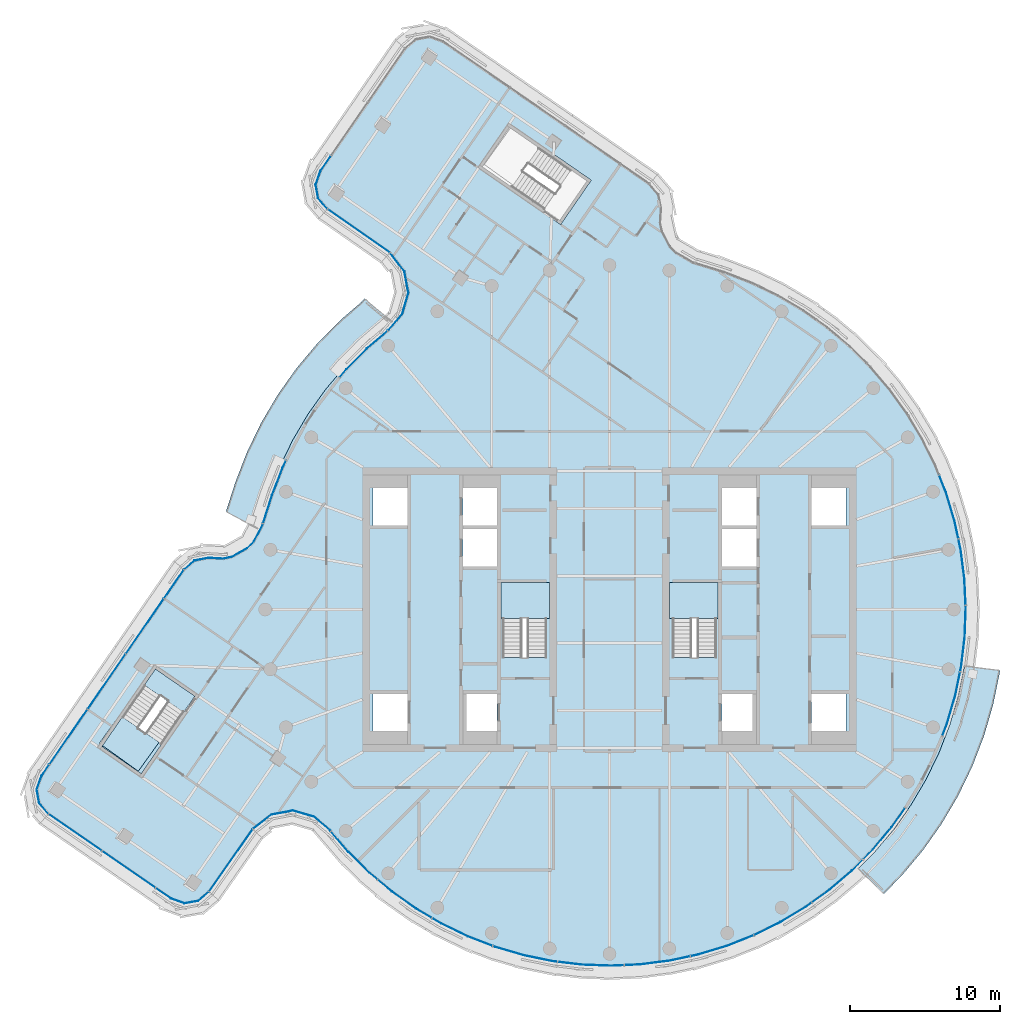
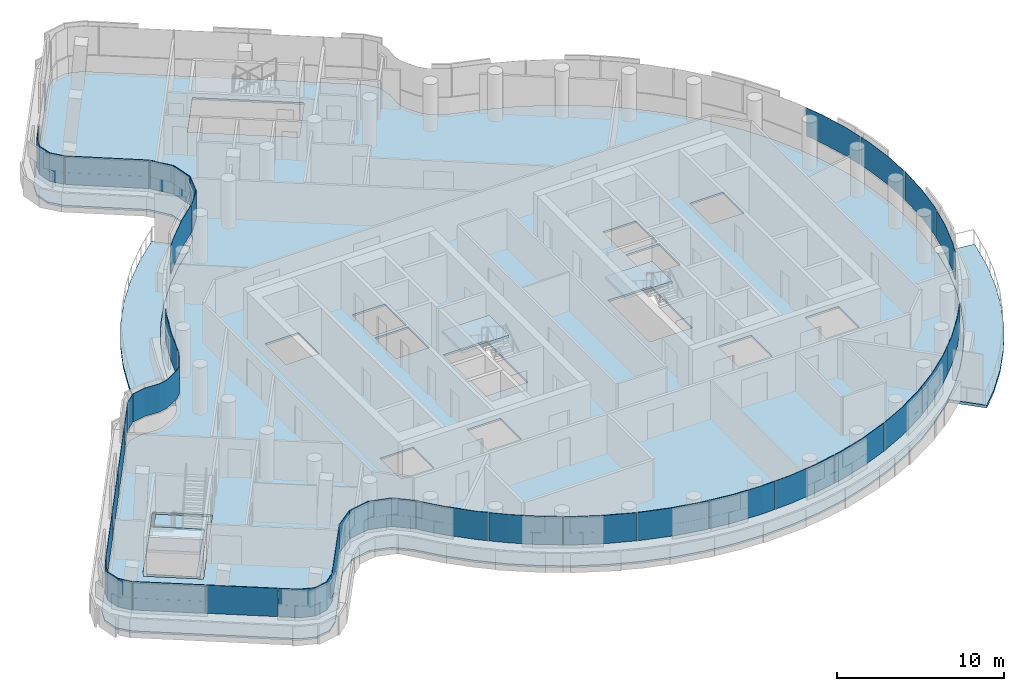
# One storey, part 14 of 26: 30 plates, 7 slabs, 10 elements without a shape of their own.
"""IFC4 building model written with IfcOpenShell, lengths in metres."""

from ifc_helpers import new_model, si_unit, direction, frame, origin, place, context, subcontext, project, spatial, polyline, outline, extrude, material, layer, layer_set, type_object, element, aggregate, save


model = new_model("IFC4")

# Units and contexts
model_context = context("Model", 3, precision=1e-05, world=origin(), true_north=direction((0.0, 1.0)))
body_context = subcontext(model_context, "Body", "Model", "MODEL_VIEW")
ifc_project = project(units=[si_unit("LENGTHUNIT", "METRE"), si_unit("AREAUNIT", "SQUARE_METRE"), si_unit("VOLUMEUNIT", "CUBIC_METRE"), si_unit("PLANEANGLEUNIT", "RADIAN"), si_unit("MASSUNIT", "GRAM", prefix="KILO")], contexts=[model_context])

# Site, building, storey
site_placement = place(None, origin())
site = spatial("IfcSite", under=ifc_project, at=site_placement, CompositionType="ELEMENT")
building_placement = place(site_placement, origin())
building = spatial("IfcBuilding", under=site, at=building_placement, Name="Tamarind Cross Interchange Tower", CompositionType="ELEMENT")
storey_placement = place(building_placement, frame((0.0, 0.0, 234.300048828125)))
storey = spatial("IfcBuildingStorey", under=building, at=storey_placement, Name="L59", CompositionType="ELEMENT", Elevation=234.300048828125)

# Slabs
ifc_material_1 = material(Name="Precast concrete C40", Category="concrete")
ifc_layer_1 = layer(ifc_material_1, 0.199951171875)
ifc_layer_set_1 = layer_set([ifc_layer_1], Name="Precast concrete C40")
slab_type_1 = type_object("IfcSlabType", Name="Balcony slab", PredefinedType="BASESLAB", material=ifc_layer_set_1)
slab_1_placement = place(storey_placement, frame((0.0, 0.0, -0.199951171875)))
element("IfcSlab", 1, at=slab_1_placement, inside=storey, type_object=slab_type_1, Name="SLB-L59-BAL02", PredefinedType="BASESLAB", context=body_context, shape_type="SweptSolid", body=[
    extrude(outline(polyline([(16.616943359375, -17.292724609375), (17.72412109375, -16.17578125), (18.99951171875, -14.656982421875), (20.14501953125, -13.0380859375), (21.15283203125, -11.329833984375), (22.01611328125, -9.54443359375), (22.72900390625, -7.69384765625), (23.286865234375, -5.79052734375), (23.685546875, -3.84765625), (23.693115234375, -3.784912109375), (26.075927734375, -4.071533203125), (26.056396484375, -4.23291015625), (25.617919921875, -6.3701171875), (25.00439453125, -8.4638671875), (24.219970703125, -10.499755859375), (23.270263671875, -12.464111328125), (22.161376953125, -14.343017578125), (20.9013671875, -16.124267578125), (19.498291015625, -17.795166015625), (18.3212890625, -18.982421875), (16.616943359375, -17.292724609375)])), origin(), (0.0, 0.0, 1.0), 0.199951171875),
])
slab_2_placement = place(storey_placement, frame((0.0, 0.0, -0.199951171875)))
element("IfcSlab", 2, at=slab_2_placement, inside=storey, type_object=slab_type_1, Name="SLB-L59-BAL06", PredefinedType="BASESLAB", context=body_context, shape_type="SweptSolid", body=[
    extrude(outline(polyline([(-14.540283203125, 19.22265625), (-14.875244140625, 18.82568359375), (-16.327880859375, 17.584228515625), (-17.72412109375, 16.17578125), (-18.99951171875, 14.656982421875), (-20.14501953125, 13.0380859375), (-21.15283203125, 11.329833984375), (-22.01611328125, 9.54443359375), (-22.72900390625, 7.69384765625), (-23.37646484375, 5.67919921875), (-23.514892578125, 5.420654296875), (-25.631103515625, 6.552490234375), (-25.594970703125, 6.619873046875), (-24.9931640625, 8.492919921875), (-24.219970703125, 10.499755859375), (-23.270263671875, 12.464111328125), (-22.161376953125, 14.343017578125), (-20.9013671875, 16.124267578125), (-19.498291015625, 17.795166015625), (-17.96240234375, 19.344482421875), (-16.5830078125, 20.5234375), (-16.3740234375, 20.77099609375), (-14.540283203125, 19.22265625)])), origin(), (0.0, 0.0, 1.0), 0.199951171875),
])
ifc_material_2 = material(Name="Concrete C35", Category="concrete")
ifc_layer_2 = layer(ifc_material_2, 0.139892578125)
ifc_layer_set_2 = layer_set([ifc_layer_2], Name="Concrete C35")
slab_type_2 = type_object("IfcSlabType", Name="Composite slab 140 Concrete C35", PredefinedType="FLOOR", material=ifc_layer_set_2)
slab_3_placement = place(storey_placement, frame((0.0, 0.0, -0.14013671875)))
element("IfcSlab", 3, at=slab_3_placement, inside=storey, type_object=slab_type_2, Name="Floor slab L59", PredefinedType="FLOOR", context=body_context, shape_type="SweptSolid", body=[
    extrude(outline(polyline([(-27.811767578125, 3.450927734375), (-28.580078125, 2.7900390625), (-38.117919921875, -11.0224609375), (-38.465576171875, -11.99755859375), (-38.279052734375, -13.01611328125), (-37.6083984375, -13.8046875), (-29.379638671875, -19.48681640625), (-28.404541015625, -19.83447265625), (-27.38623046875, -19.648193359375), (-26.597412109375, -18.9775390625), (-23.682373046875, -14.8037109375), (-22.50537109375, -13.889404296875), (-21.156005859375, -13.63623046875), (-19.838134765625, -14.0205078125), (-18.82568359375, -14.875244140625), (-17.584228515625, -16.327880859375), (-16.17578125, -17.72412109375), (-14.656982421875, -18.99951171875), (-13.0380859375, -20.14501953125), (-11.329833984375, -21.15283203125), (-9.54443359375, -22.01611328125), (-7.693603515625, -22.72900390625), (-5.79052734375, -23.286865234375), (-3.84765625, -23.685546875), (-1.878662109375, -23.92236328125), (0.103271484375, -23.99560546875), (2.08447265625, -23.9052734375), (4.051513671875, -23.651611328125), (5.99072265625, -23.236083984375), (7.88916015625, -22.662109375), (9.7333984375, -21.93310546875), (11.511474609375, -21.054443359375), (13.2109375, -20.031982421875), (14.820068359375, -18.87255859375), (16.327880859375, -17.584228515625), (17.72412109375, -16.17578125), (18.99951171875, -14.656982421875), (20.14501953125, -13.0380859375), (21.15283203125, -11.329833984375), (22.01611328125, -9.54443359375), (22.72900390625, -7.693603515625), (23.286865234375, -5.79052734375), (23.685546875, -3.84765625), (23.92236328125, -1.878662109375), (23.99560546875, 0.103271484375), (23.9052734375, 2.08447265625), (23.651611328125, 4.051513671875), (23.236083984375, 5.99072265625), (22.662109375, 7.88916015625), (21.93310546875, 9.7333984375), (21.054443359375, 11.511474609375), (20.031982421875, 13.2109375), (18.87255859375, 14.820068359375), (17.584228515625, 16.327880859375), (16.17578125, 17.72412109375), (14.656982421875, 18.99951171875), (13.0380859375, 20.14501953125), (11.329833984375, 21.15283203125), (9.54443359375, 22.01611328125), (7.693603515625, 22.72900390625), (5.64599609375, 23.364013671875), (4.584228515625, 23.978271484375), (4.21044921875, 24.36474609375), (3.698486328125, 25.32275390625), (3.584716796875, 25.84814453125), (3.64697265625, 26.806640625), (3.451416015625, 27.8076171875), (2.78759765625, 28.581787109375), (-11.0224609375, 38.117919921875), (-11.99755859375, 38.465576171875), (-13.01611328125, 38.279052734375), (-13.8046875, 37.6083984375), (-19.48681640625, 29.379638671875), (-19.83447265625, 28.404541015625), (-19.648193359375, 27.38623046875), (-18.9775390625, 26.597412109375), (-14.8037109375, 23.682373046875), (-13.889404296875, 22.50537109375), (-13.63623046875, 21.156005859375), (-14.0205078125, 19.838134765625), (-14.875244140625, 18.82568359375), (-16.327880859375, 17.584228515625), (-17.72412109375, 16.17578125), (-18.99951171875, 14.656982421875), (-20.14501953125, 13.0380859375), (-21.15283203125, 11.329833984375), (-22.01611328125, 9.54443359375), (-22.72900390625, 7.693603515625), (-23.37646484375, 5.67919921875), (-23.926513671875, 4.651123046875), (-24.311279296875, 4.258544921875), (-25.280517578125, 3.71533203125), (-25.816162109375, 3.592041015625), (-26.818115234375, 3.650390625), (-27.811767578125, 3.450927734375)]), holes=[polyline([(-30.3818359375, -3.691162109375), (-30.21728515625, -3.8046875), (-27.583984375, -5.623046875), (-27.41943359375, -5.736572265625), (-31.2265625, -11.25), (-31.39111328125, -11.13623046875), (-34.0244140625, -9.318115234375), (-34.18896484375, -9.204345703125), (-34.02685546875, -8.9697265625), (-34.07568359375, -8.934814453125), (-32.1572265625, -6.26220703125), (-30.3818359375, -3.691162109375)]), polyline([(-13.5, -8.125), (-15.800048828125, -8.125), (-15.800048828125, -5.625), (-13.5, -5.625), (-13.5, -8.125)]), polyline([(-7.5, -8.125), (-9.800048828125, -8.125), (-9.800048828125, -5.625), (-7.5, -5.625), (-7.5, -8.125)]), polyline([(-7.5, 2.875), (-9.800048828125, 2.875), (-9.800048828125, 5.375), (-7.5, 5.375), (-7.5, 2.875)]), polyline([(-13.5, 8.125), (-13.5, 5.625), (-15.800048828125, 5.625), (-15.800048828125, 8.125), (-13.5, 8.125)]), polyline([(-7.5, 5.625), (-9.800048828125, 5.625), (-9.800048828125, 8.125), (-7.5, 8.125), (-7.5, 5.625)]), polyline([(-1.222412109375, 28.67724609375), (-1.336181640625, 28.5126953125), (-3.154296875, 25.87939453125), (-3.26806640625, 25.71484375), (-8.78125, 29.52197265625), (-8.667724609375, 29.6865234375), (-6.849365234375, 32.319580078125), (-6.735595703125, 32.484375), (-6.500732421875, 32.322021484375), (-6.49755859375, 32.326171875), (-6.26220703125, 32.1572265625), (-1.222412109375, 28.67724609375)]), polyline([(7.5, -8.125), (7.5, -5.625), (9.800048828125, -5.625), (9.800048828125, -8.125), (7.5, -8.125)]), polyline([(13.5, -8.125), (13.5, -5.625), (15.800048828125, -5.625), (15.800048828125, -8.125), (13.5, -8.125)]), polyline([(-7.14990234375, 1.800048828125), (-4.199951171875, 1.800048828125), (-4.199951171875, -3.18798828125), (-7.14990234375, -3.18798828125), (-7.14990234375, 1.800048828125)]), polyline([(7.14990234375, 1.800048828125), (7.14990234375, -3.18798828125), (4.199951171875, -3.18798828125), (4.199951171875, 1.800048828125), (7.14990234375, 1.800048828125)]), polyline([(7.5, 5.375), (9.800048828125, 5.375), (9.800048828125, 2.875), (7.5, 2.875), (7.5, 5.375)]), polyline([(7.5, 5.625), (7.5, 8.125), (9.800048828125, 8.125), (9.800048828125, 5.625), (7.5, 5.625)]), polyline([(13.5, 8.125), (15.800048828125, 8.125), (15.800048828125, 5.625), (13.5, 5.625), (13.5, 8.125)])]), origin(), (0.0, 0.0, 1.0), 0.14013671875),
])
slab_4_placement = place(storey_placement, frame((0.0, 0.0, -0.14013671875)))
element("IfcSlab", 4, at=slab_4_placement, inside=storey, type_object=slab_type_2, Name="Floor slab L59", PredefinedType="FLOOR", context=body_context, shape_type="SweptSolid", body=[
    extrude(outline(polyline([(-33.91064453125, -9.1533203125), (-31.277587890625, -10.9716796875), (-27.69775390625, -5.78759765625), (-30.3310546875, -3.96923828125), (-31.02978515625, -4.981201171875), (-31.076416015625, -5.048828125), (-28.583251953125, -6.7705078125), (-31.47607421875, -10.80078125), (-33.864501953125, -9.08642578125), (-33.91064453125, -9.1533203125)])), origin(), (0.0, 0.0, 1.0), 0.14013671875),
])

# Stair, slab
ifc_material_3 = material(Name="Exit stair")
stair_type = type_object("IfcStairType", Name="Exit stair", PredefinedType="HALF_TURN_STAIR", material=ifc_material_3)
stair_1_placement = place(storey_placement, origin())
stair_1 = element("IfcStair", 5, at=stair_1_placement, inside=storey, type_object=stair_type, Name="L59 exit stair ST1", PredefinedType="HALF_TURN_STAIR")
ifc_material_4 = material(Name="Concrete C40", Category="concrete")
ifc_layer_3 = layer(ifc_material_4, 0.199951171875)
ifc_layer_set_3 = layer_set([ifc_layer_3], Name="Concrete C40")
slab_type_3 = type_object("IfcSlabType", Name="Stair landing", PredefinedType="LANDING", material=ifc_layer_set_3)
slab_5_placement = place(storey_placement, frame((0.0, 0.0, 1.599853515625)))
slab_5 = element("IfcSlab", 6, at=slab_5_placement, type_object=slab_type_3, Name="ST1 landing 1", PredefinedType="LANDING", context=body_context, shape_type="SweptSolid", body=[
    extrude(outline(polyline([(-4.0, -0.60009765625), (-4.0, 1.800048828125), (-7.25, 1.800048828125), (-7.25, -0.60009765625), (-4.0, -0.60009765625)])), origin(), (0.0, 0.0, 1.0), 0.2001953125),
])
aggregate(stair_1, [slab_5])

stair_2_placement = place(storey_placement, origin())
stair_2 = element("IfcStair", 7, at=stair_2_placement, inside=storey, type_object=stair_type, Name="L59 exit stair ST2", PredefinedType="HALF_TURN_STAIR")
slab_6_placement = place(storey_placement, frame((0.0, 0.0, 1.599853515625)))
slab_6 = element("IfcSlab", 8, at=slab_6_placement, type_object=slab_type_3, Name="ST2 landing 1", PredefinedType="LANDING", context=body_context, shape_type="SweptSolid", body=[
    extrude(outline(polyline([(7.25, -0.60009765625), (7.25, 1.800048828125), (4.0, 1.800048828125), (4.0, -0.60009765625), (7.25, -0.60009765625)])), origin(), (0.0, 0.0, 1.0), 0.2001953125),
])
aggregate(stair_2, [slab_6])

stair_3_placement = place(storey_placement, origin())
stair_3 = element("IfcStair", 9, at=stair_3_placement, inside=storey, type_object=stair_type, Name="L59 exit stair ST5", PredefinedType="HALF_TURN_STAIR")
slab_7_placement = place(storey_placement, frame((0.0, 0.0, 1.599853515625)))
slab_7 = element("IfcSlab", 10, at=slab_7_placement, type_object=slab_type_3, Name="ST5 landing 1", PredefinedType="LANDING", context=body_context, shape_type="SweptSolid", body=[
    extrude(outline(polyline([(-32.5400390625, -7.168701171875), (-33.91064453125, -9.153564453125), (-31.27734375, -10.9716796875), (-29.906982421875, -8.98681640625), (-32.5400390625, -7.168701171875)])), origin(), (0.0, 0.0, 1.0), 0.2001953125),
])
aggregate(stair_3, [slab_7])

# Curtain wall, plates
ifc_material_5 = material(Name="Aluminium 6063-T6", Category="aluminium")
ifc_layer_4 = layer(ifc_material_5, 0.139892578125)
ifc_layer_set_4 = layer_set([ifc_layer_4], Name="Aluminium 6063-T6")
curtain_wall_type = type_object("IfcCurtainWallType", Name="Hotel curtain wall, 4.5 m bays", PredefinedType="NOTDEFINED", material=ifc_layer_set_4)
curtain_wall_1_placement = place(storey_placement, origin())
curtain_wall_1 = element("IfcCurtainWall", 11, at=curtain_wall_1_placement, inside=storey, type_object=curtain_wall_type, Name="CWS-L59-00", PredefinedType="NOTDEFINED")
ifc_material_6 = material(Name="Laminated low-e glass 6+1.52+6", Category="glass")
ifc_layer_5 = layer(ifc_material_6, 0.02392578125)
ifc_layer_set_5 = layer_set([ifc_layer_5], Name="Laminated low-e glass 6+1.52+6")
plate_type = type_object("IfcPlateType", Name="Vision panel CW2", PredefinedType="CURTAIN_PANEL", material=ifc_layer_set_5)
plate_1_placement = place(storey_placement, frame((0.0, 0.0, 1.39990234375)))
plate_1 = element("IfcPlate", 12, at=plate_1_placement, type_object=plate_type, Name="CWP-L59-00-00", PredefinedType="CURTAIN_PANEL", context=body_context, shape_type="SweptSolid", body=[
    extrude(outline(polyline([(-37.441650390625, -13.662353515625), (-33.9150390625, -16.097412109375), (-33.9287109375, -16.1171875), (-37.455322265625, -13.681884765625), (-37.441650390625, -13.662353515625)])), origin(), (0.0, 0.0, 1.0), 2.06005859375),
])
plate_2_placement = place(storey_placement, frame((0.0, 0.0, 1.39990234375)))
plate_2 = element("IfcPlate", 13, at=plate_2_placement, type_object=plate_type, Name="CWP-L59-00-01", PredefinedType="CURTAIN_PANEL", context=body_context, shape_type="SweptSolid", body=[
    extrude(outline(polyline([(-33.86572265625, -16.13134765625), (-30.339111328125, -18.566650390625), (-30.352783203125, -18.58642578125), (-33.87939453125, -16.151123046875), (-33.86572265625, -16.13134765625)])), origin(), (0.0, 0.0, 1.0), 2.06005859375),
])
plate_3_placement = place(storey_placement, frame((0.0, 0.0, 1.39990234375)))
plate_3 = element("IfcPlate", 14, at=plate_3_placement, type_object=plate_type, Name="CWP-L59-00-02", PredefinedType="CURTAIN_PANEL", context=body_context, shape_type="SweptSolid", body=[
    extrude(outline(polyline([(-30.289794921875, -18.6005859375), (-29.2822265625, -19.29638671875), (-28.386962890625, -19.61572265625), (-27.480224609375, -19.44970703125), (-26.77734375, -18.85205078125), (-26.76171875, -18.870361328125), (-27.4697265625, -19.47216796875), (-28.388916015625, -19.640625), (-29.293212890625, -19.318115234375), (-30.303466796875, -18.620361328125), (-30.289794921875, -18.6005859375)])), origin(), (0.0, 0.0, 1.0), 2.06005859375),
])
aggregate(curtain_wall_1, [plate_1, plate_2, plate_3])

# Curtain wall, plate
curtain_wall_2_placement = place(storey_placement, origin())
curtain_wall_2 = element("IfcCurtainWall", 15, at=curtain_wall_2_placement, inside=storey, type_object=curtain_wall_type, Name="CWS-L59-01", PredefinedType="NOTDEFINED")
plate_4_placement = place(storey_placement, frame((0.0, 0.0, 1.39990234375)))
plate_4 = element("IfcPlate", 16, at=plate_4_placement, type_object=plate_type, Name="CWP-L59-01-00", PredefinedType="CURTAIN_PANEL", context=body_context, shape_type="SweptSolid", body=[
    extrude(outline(polyline([(-26.7392578125, -18.810302734375), (-23.85595703125, -14.68212890625), (-23.83642578125, -14.696044921875), (-26.7197265625, -18.823974609375), (-26.7392578125, -18.810302734375)])), origin(), (0.0, 0.0, 1.0), 2.06005859375),
])
aggregate(curtain_wall_2, [plate_4])

# Curtain wall, plates
curtain_wall_3_placement = place(storey_placement, origin())
curtain_wall_3 = element("IfcCurtainWall", 17, at=curtain_wall_3_placement, inside=storey, type_object=curtain_wall_type, Name="CWS-L59-02", PredefinedType="NOTDEFINED")
plate_5_placement = place(storey_placement, frame((0.0, 0.0, 1.39990234375)))
plate_5 = element("IfcPlate", 18, at=plate_5_placement, type_object=plate_type, Name="CWP-L59-02-00", PredefinedType="CURTAIN_PANEL", context=body_context, shape_type="SweptSolid", body=[
    extrude(outline(polyline([(-23.812744140625, -14.636474609375), (-22.5947265625, -13.6904296875), (-21.145263671875, -13.418701171875), (-19.735595703125, -13.829345703125), (-18.67578125, -14.724365234375), (-18.62353515625, -14.78564453125), (-18.6416015625, -14.80126953125), (-18.69287109375, -14.741455078125), (-19.747314453125, -13.85107421875), (-21.146484375, -13.443359375), (-22.584716796875, -13.712890625), (-23.798095703125, -14.655517578125), (-23.812744140625, -14.636474609375)])), origin(), (0.0, 0.0, 1.0), 2.06005859375),
])
plate_6_placement = place(storey_placement, frame((0.0, 0.0, 1.39990234375)))
plate_6 = element("IfcPlate", 19, at=plate_6_placement, type_object=plate_type, Name="CWP-L59-02-01", PredefinedType="CURTAIN_PANEL", context=body_context, shape_type="SweptSolid", body=[
    extrude(outline(polyline([(-18.58447265625, -14.831298828125), (-17.4287109375, -16.183349609375), (-16.032958984375, -17.5673828125), (-15.509765625, -18.0068359375), (-15.525146484375, -18.025146484375), (-16.049072265625, -17.585205078125), (-17.446533203125, -16.19970703125), (-18.602783203125, -14.846923828125), (-18.58447265625, -14.831298828125)])), origin(), (0.0, 0.0, 1.0), 2.06005859375),
])
plate_7_placement = place(storey_placement, frame((0.0, 0.0, 1.39990234375)))
plate_7 = element("IfcPlate", 20, at=plate_7_placement, type_object=plate_type, Name="CWP-L59-02-02", PredefinedType="CURTAIN_PANEL", context=body_context, shape_type="SweptSolid", body=[
    extrude(outline(polyline([(-15.463623046875, -18.04541015625), (-14.52734375, -18.83154296875), (-12.922607421875, -19.966796875), (-11.87451171875, -20.585205078125), (-11.88671875, -20.60595703125), (-12.935791015625, -19.987060546875), (-14.5419921875, -18.850341796875), (-15.47900390625, -18.063720703125), (-15.463623046875, -18.04541015625)])), origin(), (0.0, 0.0, 1.0), 2.06005859375),
])
plate_8_placement = place(storey_placement, frame((0.0, 0.0, 1.39990234375)))
plate_8 = element("IfcPlate", 21, at=plate_8_placement, type_object=plate_type, Name="CWP-L59-02-03", PredefinedType="CURTAIN_PANEL", context=body_context, shape_type="SweptSolid", body=[
    extrude(outline(polyline([(-11.822998046875, -20.61572265625), (-11.229736328125, -20.9658203125), (-9.4599609375, -21.821533203125), (-7.826416015625, -22.45068359375), (-7.8349609375, -22.47314453125), (-9.469482421875, -21.843505859375), (-11.240966796875, -20.98681640625), (-11.835205078125, -20.636474609375), (-11.822998046875, -20.61572265625)])), origin(), (0.0, 0.0, 1.0), 2.06005859375),
])
plate_9_placement = place(storey_placement, frame((0.0, 0.0, 1.39990234375)))
plate_9 = element("IfcPlate", 22, at=plate_9_placement, type_object=plate_type, Name="CWP-L59-02-04", PredefinedType="CURTAIN_PANEL", context=body_context, shape_type="SweptSolid", body=[
    extrude(outline(polyline([(-7.7705078125, -22.472412109375), (-7.625732421875, -22.528076171875), (-5.7392578125, -23.080810546875), (-3.813720703125, -23.47607421875), (-3.498779296875, -23.513916015625), (-3.501708984375, -23.53759765625), (-3.817626953125, -23.499755859375), (-5.7451171875, -23.104248046875), (-7.63330078125, -22.55078125), (-7.779052734375, -22.494873046875), (-7.7705078125, -22.472412109375)])), origin(), (0.0, 0.0, 1.0), 2.06005859375),
])
plate_10_placement = place(storey_placement, frame((0.0, 0.0, 1.39990234375)))
plate_10 = element("IfcPlate", 23, at=plate_10_placement, type_object=plate_type, Name="CWP-L59-02-05", PredefinedType="CURTAIN_PANEL", context=body_context, shape_type="SweptSolid", body=[
    extrude(outline(polyline([(-3.439208984375, -23.52099609375), (-1.862060546875, -23.710693359375), (0.102294921875, -23.783447265625), (0.9521484375, -23.74462890625), (0.953369140625, -23.768798828125), (0.1025390625, -23.8076171875), (-1.864013671875, -23.734619140625), (-3.442138671875, -23.544921875), (-3.439208984375, -23.52099609375)])), origin(), (0.0, 0.0, 1.0), 2.06005859375),
])
plate_11_placement = place(storey_placement, frame((0.0, 0.0, 1.39990234375)))
plate_11 = element("IfcPlate", 24, at=plate_11_placement, type_object=plate_type, Name="CWP-L59-02-06", PredefinedType="CURTAIN_PANEL", context=body_context, shape_type="SweptSolid", body=[
    extrude(outline(polyline([(1.01220703125, -23.741943359375), (2.06591796875, -23.69384765625), (4.015625, -23.4423828125), (5.369384765625, -23.15234375), (5.37451171875, -23.17578125), (4.019775390625, -23.466064453125), (2.068115234375, -23.7177734375), (1.01318359375, -23.765869140625), (1.01220703125, -23.741943359375)])), origin(), (0.0, 0.0, 1.0), 2.06005859375),
])
plate_12_placement = place(storey_placement, frame((0.0, 0.0, 1.39990234375)))
plate_12 = element("IfcPlate", 25, at=plate_12_placement, type_object=plate_type, Name="CWP-L59-02-07", PredefinedType="CURTAIN_PANEL", context=body_context, shape_type="SweptSolid", body=[
    extrude(outline(polyline([(5.42822265625, -23.139892578125), (5.937744140625, -23.03076171875), (7.8193359375, -22.461669921875), (9.603271484375, -21.756591796875), (9.612060546875, -21.779052734375), (7.8271484375, -22.484375), (5.94384765625, -23.053955078125), (5.43310546875, -23.163330078125), (5.42822265625, -23.139892578125)])), origin(), (0.0, 0.0, 1.0), 2.06005859375),
])
plate_13_placement = place(storey_placement, frame((0.0, 0.0, 1.39990234375)))
plate_13 = element("IfcPlate", 26, at=plate_13_placement, type_object=plate_type, Name="CWP-L59-02-08", PredefinedType="CURTAIN_PANEL", context=body_context, shape_type="SweptSolid", body=[
    extrude(outline(polyline([(9.65771484375, -21.734130859375), (11.40966796875, -20.868408203125), (13.093994140625, -19.854736328125), (13.4873046875, -19.571533203125), (13.501220703125, -19.591064453125), (13.107177734375, -19.874755859375), (11.421142578125, -20.889404296875), (9.66845703125, -21.755615234375), (9.65771484375, -21.734130859375)])), origin(), (0.0, 0.0, 1.0), 2.06005859375),
])
plate_14_placement = place(storey_placement, frame((0.0, 0.0, 1.39990234375)))
plate_14 = element("IfcPlate", 27, at=plate_14_placement, type_object=plate_type, Name="CWP-L59-02-09", PredefinedType="CURTAIN_PANEL", context=body_context, shape_type="SweptSolid", body=[
    extrude(outline(polyline([(13.535888671875, -19.536376953125), (14.68896484375, -18.705810546875), (16.183349609375, -17.4287109375), (16.900390625, -16.70556640625), (16.91748046875, -16.722412109375), (16.19970703125, -17.4462890625), (14.703857421875, -18.724609375), (13.550048828125, -19.555908203125), (13.535888671875, -19.536376953125)])), origin(), (0.0, 0.0, 1.0), 2.06005859375),
])
plate_15_placement = place(storey_placement, frame((0.0, 0.0, 1.39990234375)))
plate_15 = element("IfcPlate", 28, at=plate_15_placement, type_object=plate_type, Name="CWP-L59-02-10", PredefinedType="CURTAIN_PANEL", context=body_context, shape_type="SweptSolid", body=[
    extrude(outline(polyline([(16.942626953125, -16.6630859375), (17.5673828125, -16.032958984375), (18.83154296875, -14.52734375), (19.727783203125, -13.26025390625), (19.74755859375, -13.274169921875), (18.850341796875, -14.5419921875), (17.585205078125, -16.049072265625), (16.959716796875, -16.679931640625), (16.942626953125, -16.6630859375)])), origin(), (0.0, 0.0, 1.0), 2.06005859375),
])
plate_16_placement = place(storey_placement, frame((0.0, 0.0, 1.39990234375)))
plate_16 = element("IfcPlate", 29, at=plate_16_placement, type_object=plate_type, Name="CWP-L59-02-12", PredefinedType="CURTAIN_PANEL", context=body_context, shape_type="SweptSolid", body=[
    extrude(outline(polyline([(22.222412109375, -8.41943359375), (22.528076171875, -7.625732421875), (23.080810546875, -5.7392578125), (23.400146484375, -4.182861328125), (23.423828125, -4.187744140625), (23.104248046875, -5.7451171875), (22.55078125, -7.63330078125), (22.24462890625, -8.42822265625), (22.222412109375, -8.41943359375)])), origin(), (0.0, 0.0, 1.0), 2.06005859375),
])
plate_17_placement = place(storey_placement, frame((0.0, 0.0, 1.39990234375)))
plate_17 = element("IfcPlate", 30, at=plate_17_placement, type_object=plate_type, Name="CWP-L59-02-13", PredefinedType="CURTAIN_PANEL", context=body_context, shape_type="SweptSolid", body=[
    extrude(outline(polyline([(23.412353515625, -4.1240234375), (23.47607421875, -3.813720703125), (23.710693359375, -1.862060546875), (23.783447265625, 0.102294921875), (23.7763671875, 0.25732421875), (23.800537109375, 0.258544921875), (23.8076171875, 0.1025390625), (23.734619140625, -1.864013671875), (23.499755859375, -3.817626953125), (23.435791015625, -4.12890625), (23.412353515625, -4.1240234375)])), origin(), (0.0, 0.0, 1.0), 2.06005859375),
])
plate_18_placement = place(storey_placement, frame((0.0, 0.0, 1.39990234375)))
plate_18 = element("IfcPlate", 31, at=plate_18_placement, type_object=plate_type, Name="CWP-L59-02-14", PredefinedType="CURTAIN_PANEL", context=body_context, shape_type="SweptSolid", body=[
    extrude(outline(polyline([(23.773681640625, 0.3173828125), (23.69384765625, 2.06591796875), (23.4423828125, 4.015625), (23.298095703125, 4.689208984375), (23.321533203125, 4.6943359375), (23.466064453125, 4.019775390625), (23.7177734375, 2.068115234375), (23.797607421875, 0.318359375), (23.773681640625, 0.3173828125)])), origin(), (0.0, 0.0, 1.0), 2.06005859375),
])
plate_19_placement = place(storey_placement, frame((0.0, 0.0, 1.39990234375)))
plate_19 = element("IfcPlate", 32, at=plate_19_placement, type_object=plate_type, Name="CWP-L59-02-15", PredefinedType="CURTAIN_PANEL", context=body_context, shape_type="SweptSolid", body=[
    extrude(outline(polyline([(23.285400390625, 4.747802734375), (23.03076171875, 5.937744140625), (22.461669921875, 7.8193359375), (22.01220703125, 8.95654296875), (22.03466796875, 8.96533203125), (22.484375, 7.8271484375), (23.053955078125, 5.94384765625), (23.308837890625, 4.7529296875), (23.285400390625, 4.747802734375)])), origin(), (0.0, 0.0, 1.0), 2.06005859375),
])
aggregate(curtain_wall_3, [plate_5, plate_6, plate_7, plate_8, plate_9, plate_10, plate_11, plate_12, plate_13, plate_14, plate_15, plate_16, plate_17, plate_18, plate_19])

# Curtain wall, plate
curtain_wall_4_placement = place(storey_placement, origin())
curtain_wall_4 = element("IfcCurtainWall", 33, at=curtain_wall_4_placement, inside=storey, type_object=curtain_wall_type, Name="CWS-L59-04", PredefinedType="NOTDEFINED")
plate_20_placement = place(storey_placement, frame((0.0, 0.0, 1.39990234375)))
plate_20 = element("IfcPlate", 34, at=plate_20_placement, type_object=plate_type, Name="CWP-L59-04-02", PredefinedType="CURTAIN_PANEL", context=body_context, shape_type="SweptSolid", body=[
    extrude(outline(polyline([(-18.6005859375, 30.289794921875), (-19.29638671875, 29.2822265625), (-19.61572265625, 28.386962890625), (-19.44970703125, 27.480224609375), (-18.85205078125, 26.77734375), (-18.870361328125, 26.76171875), (-19.47216796875, 27.4697265625), (-19.640625, 28.388916015625), (-19.318115234375, 29.293212890625), (-18.620361328125, 30.303466796875), (-18.6005859375, 30.289794921875)])), origin(), (0.0, 0.0, 1.0), 2.06005859375),
])
aggregate(curtain_wall_4, [plate_20])

curtain_wall_5_placement = place(storey_placement, origin())
curtain_wall_5 = element("IfcCurtainWall", 35, at=curtain_wall_5_placement, inside=storey, type_object=curtain_wall_type, Name="CWS-L59-05", PredefinedType="NOTDEFINED")
plate_21_placement = place(storey_placement, frame((0.0, 0.0, 1.39990234375)))
plate_21 = element("IfcPlate", 36, at=plate_21_placement, type_object=plate_type, Name="CWP-L59-05-00", PredefinedType="CURTAIN_PANEL", context=body_context, shape_type="SweptSolid", body=[
    extrude(outline(polyline([(-18.810302734375, 26.7392578125), (-14.68212890625, 23.85595703125), (-14.696044921875, 23.83642578125), (-18.823974609375, 26.7197265625), (-18.810302734375, 26.7392578125)])), origin(), (0.0, 0.0, 1.0), 2.06005859375),
])
aggregate(curtain_wall_5, [plate_21])

# Curtain wall, plates
curtain_wall_6_placement = place(storey_placement, origin())
curtain_wall_6 = element("IfcCurtainWall", 37, at=curtain_wall_6_placement, inside=storey, type_object=curtain_wall_type, Name="CWS-L59-06", PredefinedType="NOTDEFINED")
plate_22_placement = place(storey_placement, frame((0.0, 0.0, 1.39990234375)))
plate_22 = element("IfcPlate", 38, at=plate_22_placement, type_object=plate_type, Name="CWP-L59-06-00", PredefinedType="CURTAIN_PANEL", context=body_context, shape_type="SweptSolid", body=[
    extrude(outline(polyline([(-14.636474609375, 23.812744140625), (-13.6904296875, 22.5947265625), (-13.418701171875, 21.145263671875), (-13.829345703125, 19.735595703125), (-14.724365234375, 18.67578125), (-14.78564453125, 18.62353515625), (-14.80126953125, 18.6416015625), (-14.741455078125, 18.69287109375), (-13.85107421875, 19.747314453125), (-13.443359375, 21.146484375), (-13.712890625, 22.584716796875), (-14.655517578125, 23.798095703125), (-14.636474609375, 23.812744140625)])), origin(), (0.0, 0.0, 1.0), 2.06005859375),
])
plate_23_placement = place(storey_placement, frame((0.0, 0.0, 1.39990234375)))
plate_23 = element("IfcPlate", 39, at=plate_23_placement, type_object=plate_type, Name="CWP-L59-06-01", PredefinedType="CURTAIN_PANEL", context=body_context, shape_type="SweptSolid", body=[
    extrude(outline(polyline([(-14.831298828125, 18.58447265625), (-16.183349609375, 17.4287109375), (-17.5673828125, 16.032958984375), (-18.0068359375, 15.509765625), (-18.025146484375, 15.525146484375), (-17.585205078125, 16.049072265625), (-16.19970703125, 17.446533203125), (-14.846923828125, 18.602783203125), (-14.831298828125, 18.58447265625)])), origin(), (0.0, 0.0, 1.0), 2.06005859375),
])
plate_24_placement = place(storey_placement, frame((0.0, 0.0, 1.39990234375)))
plate_24 = element("IfcPlate", 40, at=plate_24_placement, type_object=plate_type, Name="CWP-L59-06-03", PredefinedType="CURTAIN_PANEL", context=body_context, shape_type="SweptSolid", body=[
    extrude(outline(polyline([(-21.596923828125, 9.924072265625), (-21.821533203125, 9.4599609375), (-22.529052734375, 7.623046875), (-23.126220703125, 5.765380859375), (-23.14892578125, 5.772705078125), (-22.5517578125, 7.631103515625), (-21.843505859375, 9.469482421875), (-21.61865234375, 9.9345703125), (-21.596923828125, 9.924072265625)])), origin(), (0.0, 0.0, 1.0), 2.06005859375),
])
plate_25_placement = place(storey_placement, frame((0.0, 0.0, 1.39990234375)))
plate_25 = element("IfcPlate", 41, at=plate_25_placement, type_object=plate_type, Name="CWP-L59-06-04", PredefinedType="CURTAIN_PANEL", context=body_context, shape_type="SweptSolid", body=[
    extrude(outline(polyline([(-23.14453125, 5.708251953125), (-23.180419921875, 5.59619140625), (-23.753662109375, 4.5244140625), (-24.18115234375, 4.08837890625), (-25.203369140625, 3.515625), (-25.798095703125, 3.378662109375), (-26.80322265625, 3.43701171875), (-27.715576171875, 3.25390625), (-28.399658203125, 2.665771484375), (-28.415283203125, 2.683837890625), (-27.7265625, 3.2763671875), (-26.804931640625, 3.461181640625), (-25.80029296875, 3.40283203125), (-25.2119140625, 3.538330078125), (-24.19580078125, 4.107666015625), (-23.773193359375, 4.53857421875), (-23.20263671875, 5.60546875), (-23.16748046875, 5.715576171875), (-23.14453125, 5.708251953125)])), origin(), (0.0, 0.0, 1.0), 2.06005859375),
])
aggregate(curtain_wall_6, [plate_22, plate_23, plate_24, plate_25])

curtain_wall_7_placement = place(storey_placement, origin())
curtain_wall_7 = element("IfcCurtainWall", 42, at=curtain_wall_7_placement, inside=storey, type_object=curtain_wall_type, Name="CWS-L59-07", PredefinedType="NOTDEFINED")
plate_26_placement = place(storey_placement, frame((0.0, 0.0, 1.39990234375)))
plate_26 = element("IfcPlate", 43, at=plate_26_placement, type_object=plate_type, Name="CWP-L59-07-00", PredefinedType="CURTAIN_PANEL", context=body_context, shape_type="SweptSolid", body=[
    extrude(outline(polyline([(-28.437255859375, 2.623779296875), (-29.73828125, 0.739501953125), (-29.758056640625, 0.753173828125), (-28.45703125, 2.637451171875), (-28.437255859375, 2.623779296875)])), origin(), (0.0, 0.0, 1.0), 2.06005859375),
])
plate_27_placement = place(storey_placement, frame((0.0, 0.0, 1.39990234375)))
plate_27 = element("IfcPlate", 44, at=plate_27_placement, type_object=plate_type, Name="CWP-L59-07-01", PredefinedType="CURTAIN_PANEL", context=body_context, shape_type="SweptSolid", body=[
    extrude(outline(polyline([(-29.7724609375, 0.690185546875), (-32.287353515625, -2.951904296875), (-32.30712890625, -2.938232421875), (-29.792236328125, 0.703857421875), (-29.7724609375, 0.690185546875)])), origin(), (0.0, 0.0, 1.0), 2.06005859375),
])
plate_28_placement = place(storey_placement, frame((0.0, 0.0, 1.39990234375)))
plate_28 = element("IfcPlate", 45, at=plate_28_placement, type_object=plate_type, Name="CWP-L59-07-02", PredefinedType="CURTAIN_PANEL", context=body_context, shape_type="SweptSolid", body=[
    extrude(outline(polyline([(-32.321533203125, -3.001220703125), (-34.83642578125, -6.643310546875), (-34.856201171875, -6.6298828125), (-32.341064453125, -2.987548828125), (-32.321533203125, -3.001220703125)])), origin(), (0.0, 0.0, 1.0), 2.06005859375),
])
plate_29_placement = place(storey_placement, frame((0.0, 0.0, 1.39990234375)))
plate_29 = element("IfcPlate", 46, at=plate_29_placement, type_object=plate_type, Name="CWP-L59-07-03", PredefinedType="CURTAIN_PANEL", context=body_context, shape_type="SweptSolid", body=[
    extrude(outline(polyline([(-34.87060546875, -6.69287109375), (-37.385498046875, -10.3349609375), (-37.4052734375, -10.3212890625), (-34.89013671875, -6.67919921875), (-34.87060546875, -6.69287109375)])), origin(), (0.0, 0.0, 1.0), 2.06005859375),
])
plate_30_placement = place(storey_placement, frame((0.0, 0.0, 1.39990234375)))
plate_30 = element("IfcPlate", 47, at=plate_30_placement, type_object=plate_type, Name="CWP-L59-07-04", PredefinedType="CURTAIN_PANEL", context=body_context, shape_type="SweptSolid", body=[
    extrude(outline(polyline([(-37.41943359375, -10.38427734375), (-37.927490234375, -11.119873046875), (-38.246826171875, -12.015380859375), (-38.080810546875, -12.921875), (-37.4833984375, -13.62451171875), (-37.501708984375, -13.639892578125), (-38.103271484375, -12.9326171875), (-38.271484375, -12.013427734375), (-37.948974609375, -11.10888671875), (-37.439208984375, -10.37060546875), (-37.41943359375, -10.38427734375)])), origin(), (0.0, 0.0, 1.0), 2.06005859375),
])
aggregate(curtain_wall_7, [plate_26, plate_27, plate_28, plate_29, plate_30])

save(model, "model.ifc")
